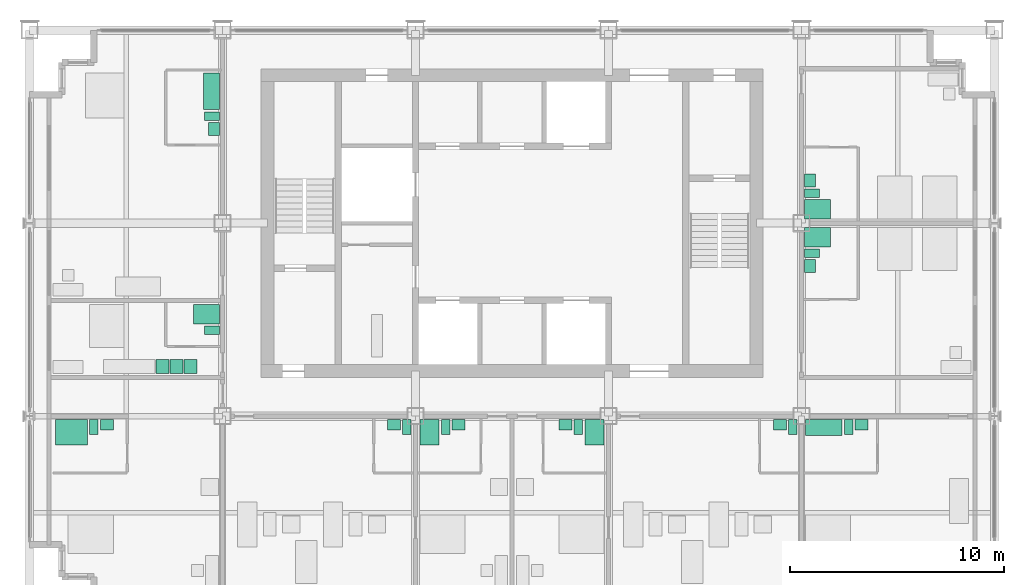
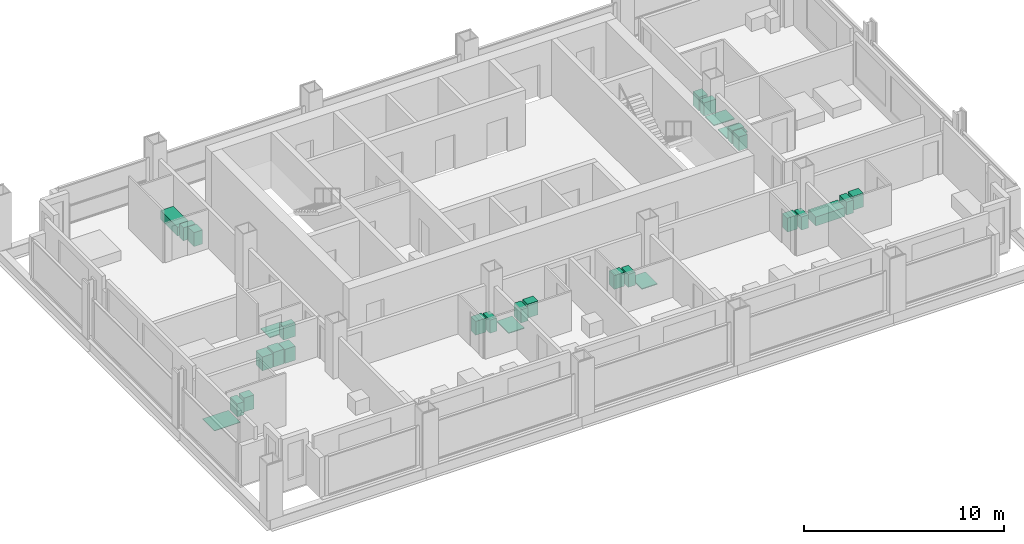
# One storey, part 12 of 13: 27 sanitary terminals, 3 electric appliances.
"""IFC4 building model written with IfcOpenShell, lengths in metres."""

from ifc_helpers import new_model, si_unit, direction, frame, origin, origin_2d, place, context, subcontext, project, spatial, rectangle, extrude, element, save


model = new_model("IFC4")

# Units and contexts
model_context = context("Model", 3, precision=1e-05, world=origin(), true_north=direction((0.0, 1.0)))
body_context = subcontext(model_context, "Body", "Model", "MODEL_VIEW")
ifc_project = project(units=[si_unit("LENGTHUNIT", "METRE"), si_unit("AREAUNIT", "SQUARE_METRE"), si_unit("VOLUMEUNIT", "CUBIC_METRE"), si_unit("PLANEANGLEUNIT", "RADIAN"), si_unit("MASSUNIT", "GRAM", prefix="KILO")], contexts=[model_context])

# Site, building, storey
site_placement = place(None, origin())
site = spatial("IfcSite", under=ifc_project, at=site_placement, CompositionType="ELEMENT")
building_placement = place(site_placement, origin())
building = spatial("IfcBuilding", under=site, at=building_placement, Name="Loomwork Tower", CompositionType="ELEMENT")
storey_placement = place(building_placement, frame((0.0, 0.0, 214.800048828125)))
storey = spatial("IfcBuildingStorey", under=building, at=storey_placement, Name="L59", CompositionType="ELEMENT", Elevation=214.800048828125)

# Sanitary terminals
sanitary_terminal_1_placement = place(storey_placement, frame((1.949951171875, 8.25, 0.0), z_axis=(0.0, 0.0, 1.0), x_axis=(1.0, 0.0, 0.0)))
element("IfcSanitaryTerminal", 1, at=sanitary_terminal_1_placement, inside=storey, Name="Roll-in shower floor L59", PredefinedType="SHOWER", context=body_context, shape_type="SweptSolid", body=[
    extrude(rectangle(XDim=1.5, YDim=1.199951171875, at=origin_2d()), origin(), (0.0, 0.0, 1.0), 0.030029296875),
])
sanitary_terminal_2_placement = place(storey_placement, frame((3.0, 8.5, 0.0), z_axis=(0.0, 0.0, 1.0), x_axis=(1.0, 0.0, 0.0)))
element("IfcSanitaryTerminal", 2, at=sanitary_terminal_2_placement, inside=storey, Name="WC L59", PredefinedType="TOILETPAN", context=body_context, shape_type="SweptSolid", body=[
    extrude(rectangle(XDim=0.39990234375, YDim=0.699951171875, at=origin_2d()), origin(), (0.0, 0.0, 1.0), 0.800048828125),
])
sanitary_terminal_3_placement = place(storey_placement, frame((3.60009765625, 8.60009765625, 0.0), z_axis=(0.0, 0.0, 1.0), x_axis=(1.0, 0.0, 0.0)))
element("IfcSanitaryTerminal", 3, at=sanitary_terminal_3_placement, inside=storey, Name="Basin vanity L59", PredefinedType="WASHHANDBASIN", context=body_context, shape_type="SweptSolid", body=[
    extrude(rectangle(XDim=0.60009765625, YDim=0.5, at=origin_2d()), origin(), (0.0, 0.0, 1.0), 0.85009765625),
])
sanitary_terminal_4_placement = place(storey_placement, frame((17.60009765625, 8.5, 0.0), z_axis=(0.0, 0.0, 1.0), x_axis=(1.0, 0.0, 0.0)))
element("IfcSanitaryTerminal", 4, at=sanitary_terminal_4_placement, inside=storey, Name="WC L59", PredefinedType="TOILETPAN", context=body_context, shape_type="SweptSolid", body=[
    extrude(rectangle(XDim=0.39990234375, YDim=0.699951171875, at=origin_2d()), origin(), (0.0, 0.0, 1.0), 0.800048828125),
])
sanitary_terminal_5_placement = place(storey_placement, frame((17.0, 8.60009765625, 0.0), z_axis=(0.0, 0.0, 1.0), x_axis=(1.0, 0.0, 0.0)))
element("IfcSanitaryTerminal", 5, at=sanitary_terminal_5_placement, inside=storey, Name="Basin vanity L59", PredefinedType="WASHHANDBASIN", context=body_context, shape_type="SweptSolid", body=[
    extrude(rectangle(XDim=0.60009765625, YDim=0.5, at=origin_2d()), origin(), (0.0, 0.0, 1.0), 0.85009765625),
])
sanitary_terminal_6_placement = place(storey_placement, frame((18.64990234375, 8.25, 0.0), z_axis=(0.0, 0.0, 1.0), x_axis=(1.0, 0.0, 0.0)))
element("IfcSanitaryTerminal", 6, at=sanitary_terminal_6_placement, inside=storey, Name="Shower tray L59", PredefinedType="SHOWER", context=body_context, shape_type="SweptSolid", body=[
    extrude(rectangle(XDim=0.89990234375, YDim=1.199951171875, at=origin_2d()), origin(), (0.0, 0.0, 1.0), 0.050048828125),
])
sanitary_terminal_7_placement = place(storey_placement, frame((19.39990234375, 8.5, 0.0), z_axis=(0.0, 0.0, 1.0), x_axis=(1.0, 0.0, 0.0)))
element("IfcSanitaryTerminal", 7, at=sanitary_terminal_7_placement, inside=storey, Name="WC L59", PredefinedType="TOILETPAN", context=body_context, shape_type="SweptSolid", body=[
    extrude(rectangle(XDim=0.39990234375, YDim=0.699951171875, at=origin_2d()), origin(), (0.0, 0.0, 1.0), 0.800048828125),
])
sanitary_terminal_8_placement = place(storey_placement, frame((20.0, 8.60009765625, 0.0), z_axis=(0.0, 0.0, 1.0), x_axis=(1.0, 0.0, 0.0)))
element("IfcSanitaryTerminal", 8, at=sanitary_terminal_8_placement, inside=storey, Name="Basin vanity L59", PredefinedType="WASHHANDBASIN", context=body_context, shape_type="SweptSolid", body=[
    extrude(rectangle(XDim=0.60009765625, YDim=0.5, at=origin_2d()), origin(), (0.0, 0.0, 1.0), 0.85009765625),
])
sanitary_terminal_9_placement = place(storey_placement, frame((26.35009765625, 8.25, 0.0), z_axis=(0.0, 0.0, 1.0), x_axis=(1.0, 0.0, 0.0)))
element("IfcSanitaryTerminal", 9, at=sanitary_terminal_9_placement, inside=storey, Name="Shower tray L59", PredefinedType="SHOWER", context=body_context, shape_type="SweptSolid", body=[
    extrude(rectangle(XDim=0.89990234375, YDim=1.199951171875, at=origin_2d()), origin(), (0.0, 0.0, 1.0), 0.050048828125),
])
sanitary_terminal_10_placement = place(storey_placement, frame((25.60009765625, 8.5, 0.0), z_axis=(0.0, 0.0, 1.0), x_axis=(1.0, 0.0, 0.0)))
element("IfcSanitaryTerminal", 10, at=sanitary_terminal_10_placement, inside=storey, Name="WC L59", PredefinedType="TOILETPAN", context=body_context, shape_type="SweptSolid", body=[
    extrude(rectangle(XDim=0.39990234375, YDim=0.699951171875, at=origin_2d()), origin(), (0.0, 0.0, 1.0), 0.800048828125),
])
sanitary_terminal_11_placement = place(storey_placement, frame((25.0, 8.60009765625, 0.0), z_axis=(0.0, 0.0, 1.0), x_axis=(1.0, 0.0, 0.0)))
element("IfcSanitaryTerminal", 11, at=sanitary_terminal_11_placement, inside=storey, Name="Basin vanity L59", PredefinedType="WASHHANDBASIN", context=body_context, shape_type="SweptSolid", body=[
    extrude(rectangle(XDim=0.60009765625, YDim=0.5, at=origin_2d()), origin(), (0.0, 0.0, 1.0), 0.85009765625),
])
sanitary_terminal_12_placement = place(storey_placement, frame((35.60009765625, 8.5, 0.0), z_axis=(0.0, 0.0, 1.0), x_axis=(1.0, 0.0, 0.0)))
element("IfcSanitaryTerminal", 12, at=sanitary_terminal_12_placement, inside=storey, Name="WC L59", PredefinedType="TOILETPAN", context=body_context, shape_type="SweptSolid", body=[
    extrude(rectangle(XDim=0.39990234375, YDim=0.699951171875, at=origin_2d()), origin(), (0.0, 0.0, 1.0), 0.800048828125),
])
sanitary_terminal_13_placement = place(storey_placement, frame((35.0, 8.60009765625, 0.0), z_axis=(0.0, 0.0, 1.0), x_axis=(1.0, 0.0, 0.0)))
element("IfcSanitaryTerminal", 13, at=sanitary_terminal_13_placement, inside=storey, Name="Basin vanity L59", PredefinedType="WASHHANDBASIN", context=body_context, shape_type="SweptSolid", body=[
    extrude(rectangle(XDim=0.60009765625, YDim=0.5, at=origin_2d()), origin(), (0.0, 0.0, 1.0), 0.85009765625),
])
sanitary_terminal_14_placement = place(storey_placement, frame((37.050048828125, 8.47509765625, 0.0), z_axis=(0.0, 0.0, 1.0), x_axis=(1.0, 0.0, 0.0)))
element("IfcSanitaryTerminal", 14, at=sanitary_terminal_14_placement, inside=storey, Name="Bath L59", PredefinedType="BATH", context=body_context, shape_type="SweptSolid", body=[
    extrude(rectangle(XDim=1.699951171875, YDim=0.75, at=origin_2d()), origin(), (0.0, 0.0, 1.0), 0.550048828125),
])
sanitary_terminal_15_placement = place(storey_placement, frame((38.199951171875, 8.5, 0.0), z_axis=(0.0, 0.0, 1.0), x_axis=(1.0, 0.0, 0.0)))
element("IfcSanitaryTerminal", 15, at=sanitary_terminal_15_placement, inside=storey, Name="WC L59", PredefinedType="TOILETPAN", context=body_context, shape_type="SweptSolid", body=[
    extrude(rectangle(XDim=0.39990234375, YDim=0.699951171875, at=origin_2d()), origin(), (0.0, 0.0, 1.0), 0.800048828125),
])
sanitary_terminal_16_placement = place(storey_placement, frame((38.800048828125, 8.60009765625, 0.0), z_axis=(0.0, 0.0, 1.0), x_axis=(1.0, 0.0, 0.0)))
element("IfcSanitaryTerminal", 16, at=sanitary_terminal_16_placement, inside=storey, Name="Basin vanity L59", PredefinedType="WASHHANDBASIN", context=body_context, shape_type="SweptSolid", body=[
    extrude(rectangle(XDim=0.60009765625, YDim=0.5, at=origin_2d()), origin(), (0.0, 0.0, 1.0), 0.85009765625),
])
sanitary_terminal_17_placement = place(storey_placement, frame((8.25, 13.75, 0.0), z_axis=(0.0, 0.0, 1.0), x_axis=(1.0, 0.0, 0.0)))
element("IfcSanitaryTerminal", 17, at=sanitary_terminal_17_placement, inside=storey, Name="Shower tray L59", PredefinedType="SHOWER", context=body_context, shape_type="SweptSolid", body=[
    extrude(rectangle(XDim=1.199951171875, YDim=0.89990234375, at=origin_2d()), origin(), (0.0, 0.0, 1.0), 0.050048828125),
])
sanitary_terminal_18_placement = place(storey_placement, frame((8.5, 13.0, 0.0), z_axis=(0.0, 0.0, 1.0), x_axis=(1.0, 0.0, 0.0)))
element("IfcSanitaryTerminal", 18, at=sanitary_terminal_18_placement, inside=storey, Name="WC L59", PredefinedType="TOILETPAN", context=body_context, shape_type="SweptSolid", body=[
    extrude(rectangle(XDim=0.699951171875, YDim=0.39990234375, at=origin_2d()), origin(), (0.0, 0.0, 1.0), 0.800048828125),
])

# Electric appliances
electric_appliance_1_placement = place(storey_placement, frame((7.5, 11.324951171875, 0.0), z_axis=(0.0, 0.0, 1.0), x_axis=(1.0, 0.0, 0.0)))
element("IfcElectricAppliance", 19, at=electric_appliance_1_placement, inside=storey, Name="Refrigerator L59", PredefinedType="REFRIGERATOR", context=body_context, shape_type="SweptSolid", body=[
    extrude(rectangle(XDim=0.60009765625, YDim=0.64990234375, at=origin_2d()), origin(), (0.0, 0.0, 1.0), 0.85009765625),
])
electric_appliance_2_placement = place(storey_placement, frame((6.85009765625, 11.324951171875, 0.0), z_axis=(0.0, 0.0, 1.0), x_axis=(1.0, 0.0, 0.0)))
element("IfcElectricAppliance", 20, at=electric_appliance_2_placement, inside=storey, Name="Two-ring cooktop and oven L59", PredefinedType="ELECTRICCOOKER", context=body_context, shape_type="SweptSolid", body=[
    extrude(rectangle(XDim=0.60009765625, YDim=0.64990234375, at=origin_2d()), origin(), (0.0, 0.0, 1.0), 0.89990234375),
])
electric_appliance_3_placement = place(storey_placement, frame((6.199951171875, 11.324951171875, 0.0), z_axis=(0.0, 0.0, 1.0), x_axis=(1.0, 0.0, 0.0)))
element("IfcElectricAppliance", 21, at=electric_appliance_3_placement, inside=storey, Name="Dishwasher L59", PredefinedType="DISHWASHER", context=body_context, shape_type="SweptSolid", body=[
    extrude(rectangle(XDim=0.60009765625, YDim=0.64990234375, at=origin_2d()), origin(), (0.0, 0.0, 1.0), 0.85009765625),
])

# Sanitary terminals
sanitary_terminal_19_placement = place(storey_placement, frame((8.47509765625, 24.14990234375, 0.0), z_axis=(0.0, 0.0, 1.0), x_axis=(1.0, 0.0, 0.0)))
element("IfcSanitaryTerminal", 22, at=sanitary_terminal_19_placement, inside=storey, Name="Bath L59", PredefinedType="BATH", context=body_context, shape_type="SweptSolid", body=[
    extrude(rectangle(XDim=0.75, YDim=1.699951171875, at=origin_2d()), origin(), (0.0, 0.0, 1.0), 0.550048828125),
])
sanitary_terminal_20_placement = place(storey_placement, frame((8.5, 23.0, 0.0), z_axis=(0.0, 0.0, 1.0), x_axis=(1.0, 0.0, 0.0)))
element("IfcSanitaryTerminal", 23, at=sanitary_terminal_20_placement, inside=storey, Name="WC L59", PredefinedType="TOILETPAN", context=body_context, shape_type="SweptSolid", body=[
    extrude(rectangle(XDim=0.699951171875, YDim=0.39990234375, at=origin_2d()), origin(), (0.0, 0.0, 1.0), 0.800048828125),
])
sanitary_terminal_21_placement = place(storey_placement, frame((8.60009765625, 22.39990234375, 0.0), z_axis=(0.0, 0.0, 1.0), x_axis=(1.0, 0.0, 0.0)))
element("IfcSanitaryTerminal", 24, at=sanitary_terminal_21_placement, inside=storey, Name="Basin vanity L59", PredefinedType="WASHHANDBASIN", context=body_context, shape_type="SweptSolid", body=[
    extrude(rectangle(XDim=0.5, YDim=0.60009765625, at=origin_2d()), origin(), (0.0, 0.0, 1.0), 0.85009765625),
])
sanitary_terminal_22_placement = place(storey_placement, frame((36.75, 17.35009765625, 0.0), z_axis=(0.0, 0.0, 1.0), x_axis=(1.0, 0.0, 0.0)))
element("IfcSanitaryTerminal", 25, at=sanitary_terminal_22_placement, inside=storey, Name="Shower tray L59", PredefinedType="SHOWER", context=body_context, shape_type="SweptSolid", body=[
    extrude(rectangle(XDim=1.199951171875, YDim=0.89990234375, at=origin_2d()), origin(), (0.0, 0.0, 1.0), 0.050048828125),
])
sanitary_terminal_23_placement = place(storey_placement, frame((36.5, 16.60009765625, 0.0), z_axis=(0.0, 0.0, 1.0), x_axis=(1.0, 0.0, 0.0)))
element("IfcSanitaryTerminal", 26, at=sanitary_terminal_23_placement, inside=storey, Name="WC L59", PredefinedType="TOILETPAN", context=body_context, shape_type="SweptSolid", body=[
    extrude(rectangle(XDim=0.699951171875, YDim=0.39990234375, at=origin_2d()), origin(), (0.0, 0.0, 1.0), 0.800048828125),
])
sanitary_terminal_24_placement = place(storey_placement, frame((36.39990234375, 16.0, 0.0), z_axis=(0.0, 0.0, 1.0), x_axis=(1.0, 0.0, 0.0)))
element("IfcSanitaryTerminal", 27, at=sanitary_terminal_24_placement, inside=storey, Name="Basin vanity L59", PredefinedType="WASHHANDBASIN", context=body_context, shape_type="SweptSolid", body=[
    extrude(rectangle(XDim=0.5, YDim=0.60009765625, at=origin_2d()), origin(), (0.0, 0.0, 1.0), 0.85009765625),
])
sanitary_terminal_25_placement = place(storey_placement, frame((36.75, 18.64990234375, 0.0), z_axis=(0.0, 0.0, 1.0), x_axis=(1.0, 0.0, 0.0)))
element("IfcSanitaryTerminal", 28, at=sanitary_terminal_25_placement, inside=storey, Name="Shower tray L59", PredefinedType="SHOWER", context=body_context, shape_type="SweptSolid", body=[
    extrude(rectangle(XDim=1.199951171875, YDim=0.89990234375, at=origin_2d()), origin(), (0.0, 0.0, 1.0), 0.050048828125),
])
sanitary_terminal_26_placement = place(storey_placement, frame((36.5, 19.39990234375, 0.0), z_axis=(0.0, 0.0, 1.0), x_axis=(1.0, 0.0, 0.0)))
element("IfcSanitaryTerminal", 29, at=sanitary_terminal_26_placement, inside=storey, Name="WC L59", PredefinedType="TOILETPAN", context=body_context, shape_type="SweptSolid", body=[
    extrude(rectangle(XDim=0.699951171875, YDim=0.39990234375, at=origin_2d()), origin(), (0.0, 0.0, 1.0), 0.800048828125),
])
sanitary_terminal_27_placement = place(storey_placement, frame((36.39990234375, 20.0, 0.0), z_axis=(0.0, 0.0, 1.0), x_axis=(1.0, 0.0, 0.0)))
element("IfcSanitaryTerminal", 30, at=sanitary_terminal_27_placement, inside=storey, Name="Basin vanity L59", PredefinedType="WASHHANDBASIN", context=body_context, shape_type="SweptSolid", body=[
    extrude(rectangle(XDim=0.5, YDim=0.60009765625, at=origin_2d()), origin(), (0.0, 0.0, 1.0), 0.85009765625),
])

save(model, "model.ifc")
